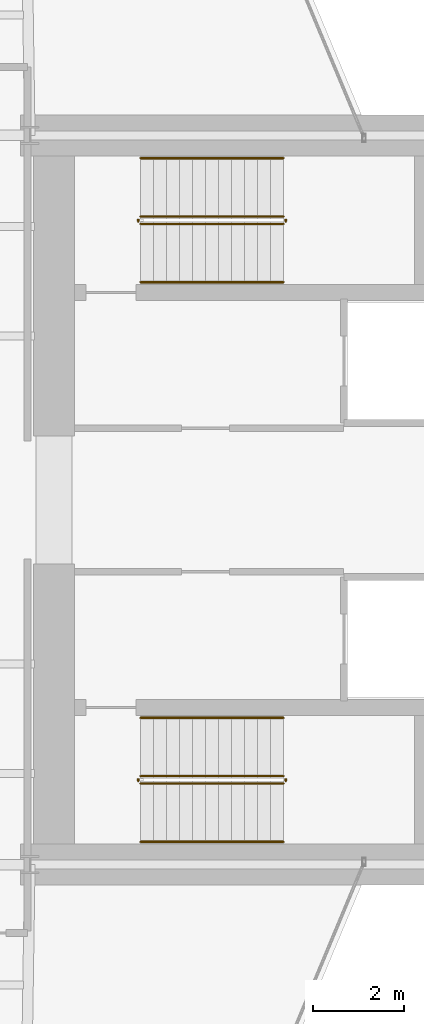
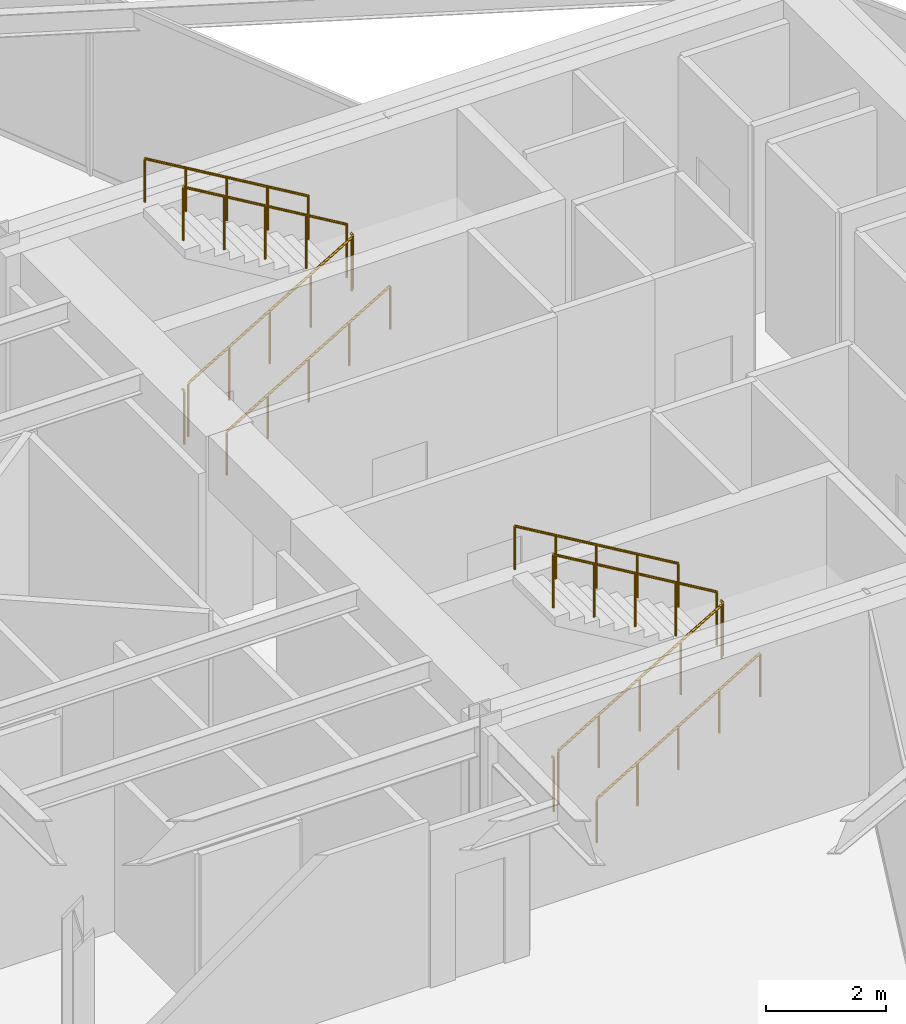
# One storey, part 25 of 25: 12 railings.
"""IFC4 building model written with IfcOpenShell, lengths in metres."""

from ifc_helpers import new_model, si_unit, direction, frame, origin, origin_2d, place, context, subcontext, project, spatial, circle, extrude, material, type_object, element, save


model = new_model("IFC4")

# Units and contexts
model_context = context("Model", 3, precision=1e-05, world=origin(), true_north=direction((0.0, 1.0)))
body_context = subcontext(model_context, "Body", "Model", "MODEL_VIEW")
ifc_project = project(units=[si_unit("LENGTHUNIT", "METRE"), si_unit("AREAUNIT", "SQUARE_METRE"), si_unit("VOLUMEUNIT", "CUBIC_METRE"), si_unit("PLANEANGLEUNIT", "RADIAN"), si_unit("MASSUNIT", "GRAM", prefix="KILO")], contexts=[model_context])

# Site, building, storey
site_placement = place(None, origin())
site = spatial("IfcSite", under=ifc_project, at=site_placement, CompositionType="ELEMENT")
building_placement = place(site_placement, origin())
building = spatial("IfcBuilding", under=site, at=building_placement, Name="Veymaron Broadcast Tower", CompositionType="ELEMENT")
storey_placement = place(building_placement, frame((0.0, 0.0, 82.35009765625)))
storey = spatial("IfcBuildingStorey", under=building, at=storey_placement, Name="L18", CompositionType="ELEMENT", Elevation=82.35009765625)

# Railings
ifc_material_1 = material(Name="Brushed stainless steel AISI 304", Category="steel")
railing_type_1 = type_object("IfcRailingType", Name="RAIL-STAIR-HR", PredefinedType="HANDRAIL", material=ifc_material_1)
railing_1_placement = place(storey_placement, frame((41.429931640625, 28.780029296875, 0.168701171875)))
element("IfcRailing", 1, at=railing_1_placement, inside=storey, type_object=railing_type_1, Name="L18 ST1 stair handrail 1", PredefinedType="HANDRAIL", context=body_context, shape_type="SweptSolid", body=[
    extrude(circle(Radius=0.02392578125, at=origin_2d()), frame((0.0, 0.0, 0.8759765625), z_axis=(0.860481960309, 0.0, 0.509480908359), x_axis=(0.0, 1.0, 0.0)), (0.0, 0.0, 1.0), 3.643310546875),
    extrude(circle(Radius=0.02099609375, at=origin_2d()), origin(), (0.0, 0.0, 1.0), 0.851806640625),
    extrude(circle(Radius=0.02099609375, at=origin_2d()), frame((0.78369140625, 0.0, 0.464111328125)), (0.0, 0.0, 1.0), 0.851806640625),
    extrude(circle(Radius=0.02099609375, at=origin_2d()), frame((1.5673828125, 0.0, 0.92822265625)), (0.0, 0.0, 1.0), 0.851806640625),
    extrude(circle(Radius=0.02099609375, at=origin_2d()), frame((2.351318359375, 0.0, 1.39208984375)), (0.0, 0.0, 1.0), 0.851806640625),
    extrude(circle(Radius=0.02099609375, at=origin_2d()), frame((3.135009765625, 0.0, 1.856201171875)), (0.0, 0.0, 1.0), 0.851806640625),
])
railing_2_placement = place(storey_placement, frame((44.56494140625, 31.5, 2.193603515625)))
element("IfcRailing", 2, at=railing_2_placement, inside=storey, type_object=railing_type_1, Name="L18 ST1 stair handrail 2", PredefinedType="HANDRAIL", context=body_context, shape_type="SweptSolid", body=[
    extrude(circle(Radius=0.02392578125, at=origin_2d()), frame((0.0, 0.0, 0.8759765625), z_axis=(-0.860481960309, 0.0, 0.509480908359), x_axis=(0.0, -1.0, 0.0)), (0.0, 0.0, 1.0), 3.643310546875),
    extrude(circle(Radius=0.02099609375, at=origin_2d()), origin(), (0.0, 0.0, 1.0), 0.851806640625),
    extrude(circle(Radius=0.02099609375, at=origin_2d()), frame((-0.78369140625, 0.0, 0.464111328125)), (0.0, 0.0, 1.0), 0.851806640625),
    extrude(circle(Radius=0.02099609375, at=origin_2d()), frame((-1.5673828125, 0.0, 0.92822265625)), (0.0, 0.0, 1.0), 0.851806640625),
    extrude(circle(Radius=0.02099609375, at=origin_2d()), frame((-2.351318359375, 0.0, 1.39208984375)), (0.0, 0.0, 1.0), 0.851806640625),
    extrude(circle(Radius=0.02099609375, at=origin_2d()), frame((-3.135009765625, 0.0, 1.856201171875)), (0.0, 0.0, 1.0), 0.851806640625),
])
railing_3_placement = place(storey_placement, frame((41.429931640625, 16.5, 0.168701171875)))
element("IfcRailing", 3, at=railing_3_placement, inside=storey, type_object=railing_type_1, Name="L18 ST2 stair handrail 1", PredefinedType="HANDRAIL", context=body_context, shape_type="SweptSolid", body=[
    extrude(circle(Radius=0.02392578125, at=origin_2d()), frame((0.0, 0.0, 0.8759765625), z_axis=(0.860481960309, 0.0, 0.509480908359), x_axis=(0.0, 1.0, 0.0)), (0.0, 0.0, 1.0), 3.643310546875),
    extrude(circle(Radius=0.02099609375, at=origin_2d()), origin(), (0.0, 0.0, 1.0), 0.851806640625),
    extrude(circle(Radius=0.02099609375, at=origin_2d()), frame((0.78369140625, 0.0, 0.464111328125)), (0.0, 0.0, 1.0), 0.851806640625),
    extrude(circle(Radius=0.02099609375, at=origin_2d()), frame((1.5673828125, 0.0, 0.92822265625)), (0.0, 0.0, 1.0), 0.851806640625),
    extrude(circle(Radius=0.02099609375, at=origin_2d()), frame((2.351318359375, 0.0, 1.39208984375)), (0.0, 0.0, 1.0), 0.851806640625),
    extrude(circle(Radius=0.02099609375, at=origin_2d()), frame((3.135009765625, 0.0, 1.856201171875)), (0.0, 0.0, 1.0), 0.851806640625),
])
railing_4_placement = place(storey_placement, frame((44.56494140625, 19.219970703125, 2.193603515625)))
element("IfcRailing", 4, at=railing_4_placement, inside=storey, type_object=railing_type_1, Name="L18 ST2 stair handrail 2", PredefinedType="HANDRAIL", context=body_context, shape_type="SweptSolid", body=[
    extrude(circle(Radius=0.02392578125, at=origin_2d()), frame((0.0, 0.0, 0.8759765625), z_axis=(-0.860481960309, 0.0, 0.509480908359), x_axis=(0.0, -1.0, 0.0)), (0.0, 0.0, 1.0), 3.643310546875),
    extrude(circle(Radius=0.02099609375, at=origin_2d()), origin(), (0.0, 0.0, 1.0), 0.851806640625),
    extrude(circle(Radius=0.02099609375, at=origin_2d()), frame((-0.78369140625, 0.0, 0.464111328125)), (0.0, 0.0, 1.0), 0.851806640625),
    extrude(circle(Radius=0.02099609375, at=origin_2d()), frame((-1.5673828125, 0.0, 0.92822265625)), (0.0, 0.0, 1.0), 0.851806640625),
    extrude(circle(Radius=0.02099609375, at=origin_2d()), frame((-2.351318359375, 0.0, 1.39208984375)), (0.0, 0.0, 1.0), 0.851806640625),
    extrude(circle(Radius=0.02099609375, at=origin_2d()), frame((-3.135009765625, 0.0, 1.856201171875)), (0.0, 0.0, 1.0), 0.851806640625),
])
ifc_material_2 = material(Name="Painted galvanized steel balustrade", Category="steel")
railing_type_2 = type_object("IfcRailingType", Name="RAIL-WELL-GRD", PredefinedType="GUARDRAIL", material=ifc_material_2)
railing_5_placement = place(storey_placement, frame((41.429931640625, 30.06005859375, 0.168701171875)))
element("IfcRailing", 5, at=railing_5_placement, inside=storey, type_object=railing_type_2, Name="L18 ST1 stair guard 1", PredefinedType="GUARDRAIL", context=body_context, shape_type="SweptSolid", body=[
    extrude(circle(Radius=0.02392578125, at=origin_2d()), frame((0.0, 0.0, 1.076171875), z_axis=(0.860481960309, 0.0, 0.509480908359), x_axis=(0.0, 1.0, 0.0)), (0.0, 0.0, 1.0), 3.643310546875),
    extrude(circle(Radius=0.02099609375, at=origin_2d()), origin(), (0.0, 0.0, 1.0), 1.052001953125),
    extrude(circle(Radius=0.02099609375, at=origin_2d()), frame((0.78369140625, 0.0, 0.464111328125)), (0.0, 0.0, 1.0), 1.052001953125),
    extrude(circle(Radius=0.02099609375, at=origin_2d()), frame((1.5673828125, 0.0, 0.92822265625)), (0.0, 0.0, 1.0), 1.052001953125),
    extrude(circle(Radius=0.02099609375, at=origin_2d()), frame((2.351318359375, 0.0, 1.39208984375)), (0.0, 0.0, 1.0), 1.052001953125),
    extrude(circle(Radius=0.02099609375, at=origin_2d()), frame((3.135009765625, 0.0, 1.856201171875)), (0.0, 0.0, 1.0), 1.052001953125),
])
railing_6_placement = place(storey_placement, frame((44.614990234375, 30.110107421875, 2.02490234375)))
element("IfcRailing", 6, at=railing_6_placement, inside=storey, type_object=railing_type_2, Name="L18 ST1 stair guard 2", PredefinedType="GUARDRAIL", context=body_context, shape_type="SweptSolid", body=[
    extrude(circle(Radius=0.02392578125, at=origin_2d()), frame((0.0, 0.0, 1.076171875), z_axis=(0.0, 1.0, 0.0), x_axis=(-1.0, 0.0, 0.0)), (0.0, 0.0, 1.0), 0.059814453125),
    extrude(circle(Radius=0.02099609375, at=origin_2d()), origin(), (0.0, 0.0, 1.0), 1.052001953125),
])
railing_7_placement = place(storey_placement, frame((44.56494140625, 30.219970703125, 2.193603515625)))
element("IfcRailing", 7, at=railing_7_placement, inside=storey, type_object=railing_type_2, Name="L18 ST1 stair guard 3", PredefinedType="GUARDRAIL", context=body_context, shape_type="SweptSolid", body=[
    extrude(circle(Radius=0.02392578125, at=origin_2d()), frame((0.0, 0.0, 1.076171875), z_axis=(-0.860481960309, 0.0, 0.509480908359), x_axis=(0.0, -1.0, 0.0)), (0.0, 0.0, 1.0), 3.643310546875),
    extrude(circle(Radius=0.02099609375, at=origin_2d()), origin(), (0.0, 0.0, 1.0), 1.052001953125),
    extrude(circle(Radius=0.02099609375, at=origin_2d()), frame((-0.78369140625, 0.0, 0.464111328125)), (0.0, 0.0, 1.0), 1.052001953125),
    extrude(circle(Radius=0.02099609375, at=origin_2d()), frame((-1.5673828125, 0.0, 0.92822265625)), (0.0, 0.0, 1.0), 1.052001953125),
    extrude(circle(Radius=0.02099609375, at=origin_2d()), frame((-2.351318359375, 0.0, 1.39208984375)), (0.0, 0.0, 1.0), 1.052001953125),
    extrude(circle(Radius=0.02099609375, at=origin_2d()), frame((-3.135009765625, 0.0, 1.856201171875)), (0.0, 0.0, 1.0), 1.052001953125),
])
railing_8_placement = place(storey_placement, frame((41.3798828125, 30.110107421875, 0.0)))
element("IfcRailing", 8, at=railing_8_placement, inside=storey, type_object=railing_type_2, Name="L18 ST1 stair guard 4", PredefinedType="GUARDRAIL", context=body_context, shape_type="SweptSolid", body=[
    extrude(circle(Radius=0.02392578125, at=origin_2d()), frame((0.0, 0.0, 1.076171875), z_axis=(0.0, 1.0, 0.0), x_axis=(-1.0, 0.0, 0.0)), (0.0, 0.0, 1.0), 0.059814453125),
    extrude(circle(Radius=0.02099609375, at=origin_2d()), origin(), (0.0, 0.0, 1.0), 1.052001953125),
])
railing_9_placement = place(storey_placement, frame((41.429931640625, 17.780029296875, 0.168701171875)))
element("IfcRailing", 9, at=railing_9_placement, inside=storey, type_object=railing_type_2, Name="L18 ST2 stair guard 1", PredefinedType="GUARDRAIL", context=body_context, shape_type="SweptSolid", body=[
    extrude(circle(Radius=0.02392578125, at=origin_2d()), frame((0.0, 0.0, 1.076171875), z_axis=(0.860481960309, 0.0, 0.509480908359), x_axis=(0.0, 1.0, 0.0)), (0.0, 0.0, 1.0), 3.643310546875),
    extrude(circle(Radius=0.02099609375, at=origin_2d()), origin(), (0.0, 0.0, 1.0), 1.052001953125),
    extrude(circle(Radius=0.02099609375, at=origin_2d()), frame((0.78369140625, 0.0, 0.464111328125)), (0.0, 0.0, 1.0), 1.052001953125),
    extrude(circle(Radius=0.02099609375, at=origin_2d()), frame((1.5673828125, 0.0, 0.92822265625)), (0.0, 0.0, 1.0), 1.052001953125),
    extrude(circle(Radius=0.02099609375, at=origin_2d()), frame((2.351318359375, 0.0, 1.39208984375)), (0.0, 0.0, 1.0), 1.052001953125),
    extrude(circle(Radius=0.02099609375, at=origin_2d()), frame((3.135009765625, 0.0, 1.856201171875)), (0.0, 0.0, 1.0), 1.052001953125),
])
railing_10_placement = place(storey_placement, frame((44.614990234375, 17.830078125, 2.02490234375)))
element("IfcRailing", 10, at=railing_10_placement, inside=storey, type_object=railing_type_2, Name="L18 ST2 stair guard 2", PredefinedType="GUARDRAIL", context=body_context, shape_type="SweptSolid", body=[
    extrude(circle(Radius=0.02392578125, at=origin_2d()), frame((0.0, 0.0, 1.076171875), z_axis=(0.0, 1.0, 0.0), x_axis=(-1.0, 0.0, 0.0)), (0.0, 0.0, 1.0), 0.059814453125),
    extrude(circle(Radius=0.02099609375, at=origin_2d()), origin(), (0.0, 0.0, 1.0), 1.052001953125),
])
railing_11_placement = place(storey_placement, frame((44.56494140625, 17.93994140625, 2.193603515625)))
element("IfcRailing", 11, at=railing_11_placement, inside=storey, type_object=railing_type_2, Name="L18 ST2 stair guard 3", PredefinedType="GUARDRAIL", context=body_context, shape_type="SweptSolid", body=[
    extrude(circle(Radius=0.02392578125, at=origin_2d()), frame((0.0, 0.0, 1.076171875), z_axis=(-0.860481960309, 0.0, 0.509480908359), x_axis=(0.0, -1.0, 0.0)), (0.0, 0.0, 1.0), 3.643310546875),
    extrude(circle(Radius=0.02099609375, at=origin_2d()), origin(), (0.0, 0.0, 1.0), 1.052001953125),
    extrude(circle(Radius=0.02099609375, at=origin_2d()), frame((-0.78369140625, 0.0, 0.464111328125)), (0.0, 0.0, 1.0), 1.052001953125),
    extrude(circle(Radius=0.02099609375, at=origin_2d()), frame((-1.5673828125, 0.0, 0.92822265625)), (0.0, 0.0, 1.0), 1.052001953125),
    extrude(circle(Radius=0.02099609375, at=origin_2d()), frame((-2.351318359375, 0.0, 1.39208984375)), (0.0, 0.0, 1.0), 1.052001953125),
    extrude(circle(Radius=0.02099609375, at=origin_2d()), frame((-3.135009765625, 0.0, 1.856201171875)), (0.0, 0.0, 1.0), 1.052001953125),
])
railing_12_placement = place(storey_placement, frame((41.3798828125, 17.830078125, 0.0)))
element("IfcRailing", 12, at=railing_12_placement, inside=storey, type_object=railing_type_2, Name="L18 ST2 stair guard 4", PredefinedType="GUARDRAIL", context=body_context, shape_type="SweptSolid", body=[
    extrude(circle(Radius=0.02392578125, at=origin_2d()), frame((0.0, 0.0, 1.076171875), z_axis=(0.0, 1.0, 0.0), x_axis=(-1.0, 0.0, 0.0)), (0.0, 0.0, 1.0), 0.059814453125),
    extrude(circle(Radius=0.02099609375, at=origin_2d()), origin(), (0.0, 0.0, 1.0), 1.052001953125),
])

save(model, "model.ifc")
